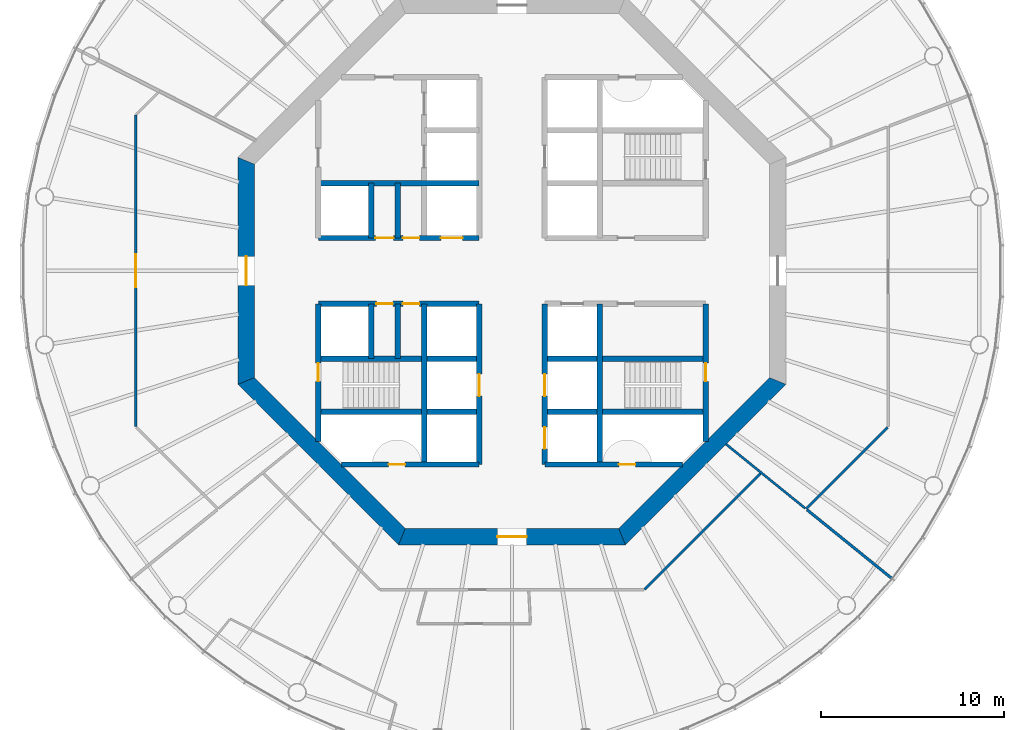
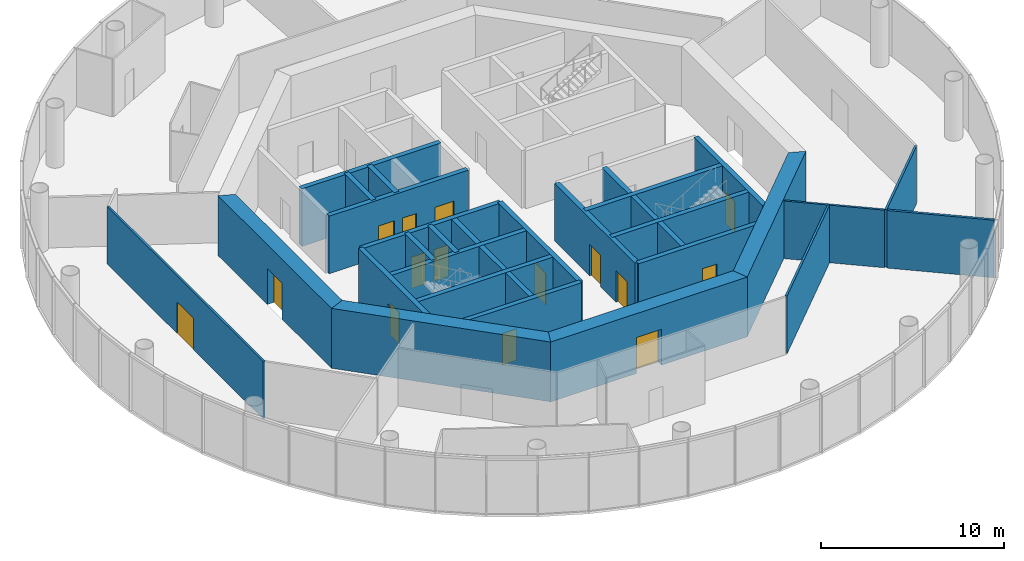
# One storey, part 3 of 12: 28 walls, 15 doors, 15 openings.
"""IFC4 building model written with IfcOpenShell, lengths in metres."""

from ifc_helpers import new_model, si_unit, direction, frame, frame_2d, origin, place, context, subcontext, project, spatial, polyline, rectangle, outline, extrude, material, layer, layer_set, type_object, element, fill, save


model = new_model("IFC4")

# Units and contexts
model_context = context("Model", 3, precision=1e-05, world=origin(), true_north=direction((0.0, 1.0)))
body_context = subcontext(model_context, "Body", "Model", "MODEL_VIEW")
ifc_project = project(units=[si_unit("LENGTHUNIT", "METRE"), si_unit("AREAUNIT", "SQUARE_METRE"), si_unit("VOLUMEUNIT", "CUBIC_METRE"), si_unit("PLANEANGLEUNIT", "RADIAN"), si_unit("MASSUNIT", "GRAM", prefix="KILO")], contexts=[model_context])

# Site, building, storey
site_placement = place(None, origin())
site = spatial("IfcSite", under=ifc_project, at=site_placement, CompositionType="ELEMENT")
building_placement = place(site_placement, origin())
building = spatial("IfcBuilding", under=site, at=building_placement, Name="Entoto Ring Tower", CompositionType="ELEMENT")
storey_placement = place(building_placement, frame((0.0, 0.0, 242.0)))
storey = spatial("IfcBuildingStorey", under=building, at=storey_placement, Name="L55", CompositionType="ELEMENT", Elevation=242.0)

# Wall, opening, door
ifc_material_1 = material(Name="Concrete C40/50", Category="concrete")
ifc_layer_1 = layer(ifc_material_1, 0.300048828125)
ifc_layer_set_1 = layer_set([ifc_layer_1], Name="Concrete C40/50")
wall_type_1 = type_object("IfcWallType", Name="Core enclosure wall 300 mm reinforced concrete", PredefinedType="SOLIDWALL", material=ifc_layer_set_1)
wall_1_placement = place(storey_placement, frame((100.60009765625, 70.65966796875, 0.0), z_axis=(0.0, 0.0, 1.0), x_axis=(0.0, 1.0, 0.0)))
wall_1 = element("IfcWall", 1, at=wall_1_placement, inside=storey, type_object=wall_type_1, Name="wall-L55-001", PredefinedType="SOLIDWALL", context=body_context, shape_type="SweptSolid", body=[
    extrude(rectangle(XDim=7.540283203125, YDim=0.300048828125, at=frame_2d((3.77001953125, 0.0))), origin(), (0.0, 0.0, 1.0), 3.85009765625),
])
opening_1_placement = place(wall_1_placement, frame((3.290283203125, 0.0, 0.0)))
opening_1 = element("IfcOpeningElement", 2, at=opening_1_placement, cuts=wall_1, Name="Opening K-61", PredefinedType="OPENING", context=body_context, shape_type="SweptSolid", body=[
    extrude(rectangle(XDim=1.0, YDim=2.10009765625, at=frame_2d((0.5, 1.050048828125))), frame((0.0, 0.16015625, 0.0), z_axis=(0.0, -1.0, 0.0), x_axis=(1.0, 0.0, 0.0)), (0.0, 0.0, 1.0), 0.320068359375),
])
ifc_material_2 = material(Name="Steel door leaf, fire rated", Category="steel")
ifc_layer_2 = layer(ifc_material_2, 0.050048828125)
ifc_layer_set_2 = layer_set([ifc_layer_2], Name="Steel door leaf, fire rated")
door_type_1 = type_object("IfcDoorType", Name="Fire door FD60 1000 x 2100 single leaf", OperationType="NOTDEFINED", PredefinedType="DOOR", material=ifc_layer_set_2)
door_1_placement = place(opening_1_placement, origin())
door_1 = element("IfcDoor", 3, at=door_1_placement, inside=storey, type_object=door_type_1, Name="Door K-61", OperationType="SINGLE_SWING_RIGHT", OverallHeight=2.10009765625, OverallWidth=1.0, PredefinedType="DOOR", context=body_context, shape_type="SweptSolid", body=[
    extrude(rectangle(XDim=1.0, YDim=2.10009765625, at=frame_2d((0.5, 1.050048828125))), frame((0.0, 0.02490234375, 0.0), z_axis=(0.0, -1.0, 0.0), x_axis=(1.0, 0.0, 0.0)), (0.0, 0.0, 1.0), 0.050048828125),
])
fill(opening_1, door_1)

# Wall
wall_2_placement = place(storey_placement, frame((94.800048828125, 69.39990234375, 0.0), z_axis=(0.0, 0.0, 1.0), x_axis=(0.0, 1.0, 0.0)))
element("IfcWall", 4, at=wall_2_placement, inside=storey, type_object=wall_type_1, Name="wall-L55-003", PredefinedType="SOLIDWALL", context=body_context, shape_type="SweptSolid", body=[
    extrude(rectangle(XDim=8.800048828125, YDim=0.300048828125, at=frame_2d((4.39990234375, 0.0))), origin(), (0.0, 0.0, 1.0), 3.85009765625),
])

# Wall, openings, doors
wall_3_placement = place(storey_placement, frame((91.800048828125, 69.39990234375, 0.0), z_axis=(0.0, 0.0, 1.0), x_axis=(0.0, 1.0, 0.0)))
wall_3 = element("IfcWall", 5, at=wall_3_placement, inside=storey, type_object=wall_type_1, Name="wall-L55-005", PredefinedType="SOLIDWALL", context=body_context, shape_type="SweptSolid", body=[
    extrude(rectangle(XDim=8.800048828125, YDim=0.300048828125, at=frame_2d((4.39990234375, 0.0))), origin(), (0.0, 0.0, 1.0), 3.85009765625),
])
opening_2_placement = place(wall_3_placement, frame((3.75, 0.0, 0.0)))
opening_2 = element("IfcOpeningElement", 6, at=opening_2_placement, cuts=wall_3, Name="Opening LD", PredefinedType="OPENING", context=body_context, shape_type="SweptSolid", body=[
    extrude(rectangle(XDim=1.199951171875, YDim=2.10009765625, at=frame_2d((0.60009765625, 1.050048828125))), frame((0.0, 0.16015625, 0.0), z_axis=(0.0, -1.0, 0.0), x_axis=(1.0, 0.0, 0.0)), (0.0, 0.0, 1.0), 0.320068359375),
])
opening_3_placement = place(wall_3_placement, frame((0.85009765625, 0.0, 0.0)))
opening_3 = element("IfcOpeningElement", 7, at=opening_3_placement, cuts=wall_3, Name="Opening LD", PredefinedType="OPENING", context=body_context, shape_type="SweptSolid", body=[
    extrude(rectangle(XDim=1.199951171875, YDim=2.10009765625, at=frame_2d((0.60009765625, 1.050048828125))), frame((0.0, 0.16015625, 0.0), z_axis=(0.0, -1.0, 0.0), x_axis=(1.0, 0.0, 0.0)), (0.0, 0.0, 1.0), 0.320068359375),
])
ifc_material_3 = material(Name="Steel and glass door leaf", Category="steel")
ifc_layer_3 = layer(ifc_material_3, 0.050048828125)
ifc_layer_set_3 = layer_set([ifc_layer_3], Name="Steel and glass door leaf")
door_type_2 = type_object("IfcDoorType", Name="Landing door 1200 x 2100 sliding", OperationType="DOUBLE_DOOR_SLIDING", PredefinedType="DOOR", material=ifc_layer_set_3)
door_2_placement = place(opening_2_placement, origin())
door_2 = element("IfcDoor", 8, at=door_2_placement, inside=storey, type_object=door_type_2, Name="Landing door LB2-MR", OperationType="SLIDING_TO_RIGHT", OverallHeight=2.10009765625, OverallWidth=1.199951171875, PredefinedType="DOOR", context=body_context, shape_type="SweptSolid", body=[
    extrude(rectangle(XDim=1.199951171875, YDim=2.10009765625, at=frame_2d((0.60009765625, 1.050048828125))), frame((0.0, 0.02490234375, 0.0), z_axis=(0.0, -1.0, 0.0), x_axis=(1.0, 0.0, 0.0)), (0.0, 0.0, 1.0), 0.050048828125),
])
fill(opening_2, door_2)
door_3_placement = place(opening_3_placement, origin())
door_3 = element("IfcDoor", 9, at=door_3_placement, inside=storey, type_object=door_type_2, Name="Landing door LB3-MR", OperationType="SLIDING_TO_RIGHT", OverallHeight=2.10009765625, OverallWidth=1.199951171875, PredefinedType="DOOR", context=body_context, shape_type="SweptSolid", body=[
    extrude(rectangle(XDim=1.199951171875, YDim=2.10009765625, at=frame_2d((0.60009765625, 1.050048828125))), frame((0.0, 0.02490234375, 0.0), z_axis=(0.0, -1.0, 0.0), x_axis=(1.0, 0.0, 0.0)), (0.0, 0.0, 1.0), 0.050048828125),
])
fill(opening_3, door_3)

# Wall, opening, door
wall_4_placement = place(storey_placement, frame((88.199951171875, 69.39990234375, 0.0), z_axis=(0.0, 0.0, 1.0), x_axis=(0.0, 1.0, 0.0)))
wall_4 = element("IfcWall", 10, at=wall_4_placement, inside=storey, type_object=wall_type_1, Name="wall-L55-007", PredefinedType="SOLIDWALL", context=body_context, shape_type="SweptSolid", body=[
    extrude(rectangle(XDim=8.800048828125, YDim=0.300048828125, at=frame_2d((4.39990234375, 0.0))), origin(), (0.0, 0.0, 1.0), 3.85009765625),
])
opening_4_placement = place(wall_4_placement, frame((3.75, 0.0, 0.0)))
opening_4 = element("IfcOpeningElement", 11, at=opening_4_placement, cuts=wall_4, Name="Opening LD", PredefinedType="OPENING", context=body_context, shape_type="SweptSolid", body=[
    extrude(rectangle(XDim=1.199951171875, YDim=2.10009765625, at=frame_2d((0.60009765625, 1.050048828125))), frame((0.0, 0.16015625, 0.0), z_axis=(0.0, -1.0, 0.0), x_axis=(1.0, 0.0, 0.0)), (0.0, 0.0, 1.0), 0.320068359375),
])
door_4_placement = place(opening_4_placement, origin())
door_4 = element("IfcDoor", 12, at=door_4_placement, inside=storey, type_object=door_type_2, Name="Landing door LB4-MR", OperationType="SLIDING_TO_RIGHT", OverallHeight=2.10009765625, OverallWidth=1.199951171875, PredefinedType="DOOR", context=body_context, shape_type="SweptSolid", body=[
    extrude(rectangle(XDim=1.199951171875, YDim=2.10009765625, at=frame_2d((0.60009765625, 1.050048828125))), frame((0.0, 0.02490234375, 0.0), z_axis=(0.0, -1.0, 0.0), x_axis=(1.0, 0.0, 0.0)), (0.0, 0.0, 1.0), 0.050048828125),
])
fill(opening_4, door_4)

# Walls
wall_5_placement = place(storey_placement, frame((85.199951171875, 69.39990234375, 0.0), z_axis=(0.0, 0.0, 1.0), x_axis=(0.0, 1.0, 0.0)))
element("IfcWall", 13, at=wall_5_placement, inside=storey, type_object=wall_type_1, Name="wall-L55-009", PredefinedType="SOLIDWALL", context=body_context, shape_type="SweptSolid", body=[
    extrude(rectangle(XDim=8.800048828125, YDim=0.300048828125, at=frame_2d((4.39990234375, 0.0))), origin(), (0.0, 0.0, 1.0), 3.85009765625),
])
for number, where, z_axis, x_axis, name in (
    (14, (83.75, 75.199951171875, 0.0), (0.0, 0.0, 1.0), (0.0, 1.0, 0.0), "wall-L55-011"),
    (15, (83.75, 81.800048828125, 0.0), (0.0, 0.0, 1.0), (0.0, 1.0, 0.0), "wall-L55-012"),
    (16, (82.300048828125, 75.199951171875, 0.0), (0.0, 0.0, 1.0), (0.0, 1.0, 0.0), "wall-L55-013"),
    (17, (82.300048828125, 81.800048828125, 0.0), (0.0, 0.0, 1.0), (0.0, 1.0, 0.0), "wall-L55-014"),
):
    element("IfcWall", number, at=place(storey_placement, frame(where, z_axis=z_axis, x_axis=x_axis)), inside=storey, type_object=wall_type_1, Name=name, PredefinedType="SOLIDWALL", context=body_context, shape_type="SweptSolid", body=[
        extrude(rectangle(XDim=3.0, YDim=0.300048828125, at=frame_2d((1.5, 0.0))), origin(), (0.0, 0.0, 1.0), 3.85009765625),
    ])

# Wall, opening, door
wall_6_placement = place(storey_placement, frame((79.39990234375, 70.65966796875, 0.0), z_axis=(0.0, 0.0, 1.0), x_axis=(0.0, 1.0, 0.0)))
wall_6 = element("IfcWall", 18, at=wall_6_placement, inside=storey, type_object=wall_type_1, Name="wall-L55-015", PredefinedType="SOLIDWALL", context=body_context, shape_type="SweptSolid", body=[
    extrude(rectangle(XDim=7.540283203125, YDim=0.300048828125, at=frame_2d((3.77001953125, 0.0))), origin(), (0.0, 0.0, 1.0), 3.85009765625),
])
opening_5_placement = place(wall_6_placement, frame((3.290283203125, 0.0, 0.0)))
opening_5 = element("IfcOpeningElement", 19, at=opening_5_placement, cuts=wall_6, Name="Opening K-59", PredefinedType="OPENING", context=body_context, shape_type="SweptSolid", body=[
    extrude(rectangle(XDim=1.0, YDim=2.10009765625, at=frame_2d((0.5, 1.050048828125))), frame((0.0, 0.16015625, 0.0), z_axis=(0.0, -1.0, 0.0), x_axis=(1.0, 0.0, 0.0)), (0.0, 0.0, 1.0), 0.320068359375),
])
door_5_placement = place(opening_5_placement, frame((1.0, 0.0, 0.0), z_axis=(0.0, 0.0, 1.0), x_axis=(-1.0, 0.0, 0.0)))
door_5 = element("IfcDoor", 20, at=door_5_placement, inside=storey, type_object=door_type_1, Name="Door K-59", OperationType="SINGLE_SWING_LEFT", OverallHeight=2.10009765625, OverallWidth=1.0, PredefinedType="DOOR", context=body_context, shape_type="SweptSolid", body=[
    extrude(rectangle(XDim=1.0, YDim=2.10009765625, at=frame_2d((0.5, 1.050048828125))), frame((0.0, 0.02490234375, 0.0), z_axis=(0.0, -1.0, 0.0), x_axis=(1.0, 0.0, 0.0)), (0.0, 0.0, 1.0), 0.050048828125),
])
fill(opening_5, door_5)

wall_7_placement = place(storey_placement, frame((80.65966796875, 69.39990234375, 0.0), z_axis=(0.0, 0.0, 1.0), x_axis=(1.0, 0.0, 0.0)))
wall_7 = element("IfcWall", 21, at=wall_7_placement, inside=storey, type_object=wall_type_1, Name="wall-L55-017", PredefinedType="SOLIDWALL", context=body_context, shape_type="SweptSolid", body=[
    extrude(rectangle(XDim=7.540283203125, YDim=0.300048828125, at=frame_2d((3.77001953125, 0.0))), origin(), (0.0, 0.0, 1.0), 3.85009765625),
])
opening_6_placement = place(wall_7_placement, frame((2.59033203125, 0.0, 0.0)))
opening_6 = element("IfcOpeningElement", 22, at=opening_6_placement, cuts=wall_7, Name="Opening K-66", PredefinedType="OPENING", context=body_context, shape_type="SweptSolid", body=[
    extrude(rectangle(XDim=0.89990234375, YDim=2.10009765625, at=frame_2d((0.449951171875, 1.050048828125))), frame((0.0, 0.16015625, 0.0), z_axis=(0.0, -1.0, 0.0), x_axis=(1.0, 0.0, 0.0)), (0.0, 0.0, 1.0), 0.320068359375),
])
ifc_material_4 = material(Name="Steel door leaf, fire rated", Category="steel")
ifc_layer_4 = layer(ifc_material_4, 0.050048828125)
ifc_layer_set_4 = layer_set([ifc_layer_4], Name="Steel door leaf, fire rated")
door_type_3 = type_object("IfcDoorType", Name="Riser door FD60 900 x 2100 single leaf", OperationType="NOTDEFINED", PredefinedType="DOOR", material=ifc_layer_set_4)
door_6_placement = place(opening_6_placement, origin())
door_6 = element("IfcDoor", 23, at=door_6_placement, inside=storey, type_object=door_type_3, Name="Door K-66", OperationType="SINGLE_SWING_RIGHT", OverallHeight=2.10009765625, OverallWidth=0.89990234375, PredefinedType="DOOR", context=body_context, shape_type="SweptSolid", body=[
    extrude(rectangle(XDim=0.89990234375, YDim=2.10009765625, at=frame_2d((0.449951171875, 1.050048828125))), frame((0.0, 0.02490234375, 0.0), z_axis=(0.0, -1.0, 0.0), x_axis=(1.0, 0.0, 0.0)), (0.0, 0.0, 1.0), 0.050048828125),
])
fill(opening_6, door_6)

wall_8_placement = place(storey_placement, frame((91.800048828125, 69.39990234375, 0.0), z_axis=(0.0, 0.0, 1.0), x_axis=(1.0, 0.0, 0.0)))
wall_8 = element("IfcWall", 24, at=wall_8_placement, inside=storey, type_object=wall_type_1, Name="wall-L55-018", PredefinedType="SOLIDWALL", context=body_context, shape_type="SweptSolid", body=[
    extrude(rectangle(XDim=7.540283203125, YDim=0.300048828125, at=frame_2d((3.77001953125, 0.0))), origin(), (0.0, 0.0, 1.0), 3.85009765625),
])
opening_7_placement = place(wall_8_placement, frame((4.050048828125, 0.0, 0.0)))
opening_7 = element("IfcOpeningElement", 25, at=opening_7_placement, cuts=wall_8, Name="Opening K-68", PredefinedType="OPENING", context=body_context, shape_type="SweptSolid", body=[
    extrude(rectangle(XDim=0.89990234375, YDim=2.10009765625, at=frame_2d((0.449951171875, 1.050048828125))), frame((0.0, 0.16015625, 0.0), z_axis=(0.0, -1.0, 0.0), x_axis=(1.0, 0.0, 0.0)), (0.0, 0.0, 1.0), 0.320068359375),
])
door_7_placement = place(opening_7_placement, origin())
door_7 = element("IfcDoor", 26, at=door_7_placement, inside=storey, type_object=door_type_3, Name="Door K-68", OperationType="SINGLE_SWING_LEFT", OverallHeight=2.10009765625, OverallWidth=0.89990234375, PredefinedType="DOOR", context=body_context, shape_type="SweptSolid", body=[
    extrude(rectangle(XDim=0.89990234375, YDim=2.10009765625, at=frame_2d((0.449951171875, 1.050048828125))), frame((0.0, 0.02490234375, 0.0), z_axis=(0.0, -1.0, 0.0), x_axis=(1.0, 0.0, 0.0)), (0.0, 0.0, 1.0), 0.050048828125),
])
fill(opening_7, door_7)

# Walls
for number, where, z_axis, x_axis, name in (
    (27, (79.39990234375, 72.300048828125, 0.0), (0.0, 0.0, 1.0), (1.0, 0.0, 0.0), "wall-L55-019"),
    (28, (91.800048828125, 72.300048828125, 0.0), (0.0, 0.0, 1.0), (1.0, 0.0, 0.0), "wall-L55-020"),
    (29, (79.39990234375, 75.199951171875, 0.0), (0.0, 0.0, 1.0), (1.0, 0.0, 0.0), "wall-L55-021"),
    (30, (91.800048828125, 75.199951171875, 0.0), (0.0, 0.0, 1.0), (1.0, 0.0, 0.0), "wall-L55-022"),
):
    element("IfcWall", number, at=place(storey_placement, frame(where, z_axis=z_axis, x_axis=x_axis)), inside=storey, type_object=wall_type_1, Name=name, PredefinedType="SOLIDWALL", context=body_context, shape_type="SweptSolid", body=[
        extrude(rectangle(XDim=8.800048828125, YDim=0.300048828125, at=frame_2d((4.39990234375, 0.0))), origin(), (0.0, 0.0, 1.0), 3.85009765625),
    ])

# Wall, openings, doors
wall_9_placement = place(storey_placement, frame((79.39990234375, 78.199951171875, 0.0), z_axis=(0.0, 0.0, 1.0), x_axis=(1.0, 0.0, 0.0)))
wall_9 = element("IfcWall", 31, at=wall_9_placement, inside=storey, type_object=wall_type_1, Name="wall-L55-023", PredefinedType="SOLIDWALL", context=body_context, shape_type="SweptSolid", body=[
    extrude(rectangle(XDim=8.800048828125, YDim=0.300048828125, at=frame_2d((4.39990234375, 0.0))), origin(), (0.0, 0.0, 1.0), 3.85009765625),
])
opening_8_placement = place(wall_9_placement, frame((3.175048828125, 0.0, 0.0)))
opening_8 = element("IfcOpeningElement", 32, at=opening_8_placement, cuts=wall_9, Name="Opening K-15", PredefinedType="OPENING", context=body_context, shape_type="SweptSolid", body=[
    extrude(rectangle(XDim=0.89990234375, YDim=2.10009765625, at=frame_2d((0.449951171875, 1.050048828125))), frame((0.0, 0.16015625, 0.0), z_axis=(0.0, -1.0, 0.0), x_axis=(1.0, 0.0, 0.0)), (0.0, 0.0, 1.0), 0.320068359375),
])
opening_9_placement = place(wall_9_placement, frame((4.625, 0.0, 0.0)))
opening_9 = element("IfcOpeningElement", 33, at=opening_9_placement, cuts=wall_9, Name="Opening K-16", PredefinedType="OPENING", context=body_context, shape_type="SweptSolid", body=[
    extrude(rectangle(XDim=0.89990234375, YDim=2.10009765625, at=frame_2d((0.449951171875, 1.050048828125))), frame((0.0, 0.16015625, 0.0), z_axis=(0.0, -1.0, 0.0), x_axis=(1.0, 0.0, 0.0)), (0.0, 0.0, 1.0), 0.320068359375),
])
ifc_material_5 = material(Name="Steel door leaf, fire rated", Category="steel")
ifc_layer_5 = layer(ifc_material_5, 0.050048828125)
ifc_layer_set_5 = layer_set([ifc_layer_5], Name="Steel door leaf, fire rated")
door_type_4 = type_object("IfcDoorType", Name="Core door 900 x 2100 single leaf", OperationType="NOTDEFINED", PredefinedType="DOOR", material=ifc_layer_set_5)
door_8_placement = place(opening_8_placement, frame((0.89990234375, 0.0, 0.0), z_axis=(0.0, 0.0, 1.0), x_axis=(-1.0, 0.0, 0.0)))
door_8 = element("IfcDoor", 34, at=door_8_placement, inside=storey, type_object=door_type_4, Name="Door K-15", OperationType="SINGLE_SWING_LEFT", OverallHeight=2.10009765625, OverallWidth=0.89990234375, PredefinedType="DOOR", context=body_context, shape_type="SweptSolid", body=[
    extrude(rectangle(XDim=0.89990234375, YDim=2.10009765625, at=frame_2d((0.449951171875, 1.050048828125))), frame((0.0, 0.02490234375, 0.0), z_axis=(0.0, -1.0, 0.0), x_axis=(1.0, 0.0, 0.0)), (0.0, 0.0, 1.0), 0.050048828125),
])
fill(opening_8, door_8)
door_9_placement = place(opening_9_placement, frame((0.89990234375, 0.0, 0.0), z_axis=(0.0, 0.0, 1.0), x_axis=(-1.0, 0.0, 0.0)))
door_9 = element("IfcDoor", 35, at=door_9_placement, inside=storey, type_object=door_type_4, Name="Door K-16", OperationType="SINGLE_SWING_LEFT", OverallHeight=2.10009765625, OverallWidth=0.89990234375, PredefinedType="DOOR", context=body_context, shape_type="SweptSolid", body=[
    extrude(rectangle(XDim=0.89990234375, YDim=2.10009765625, at=frame_2d((0.449951171875, 1.050048828125))), frame((0.0, 0.02490234375, 0.0), z_axis=(0.0, -1.0, 0.0), x_axis=(1.0, 0.0, 0.0)), (0.0, 0.0, 1.0), 0.050048828125),
])
fill(opening_9, door_9)

wall_10_placement = place(storey_placement, frame((79.39990234375, 81.800048828125, 0.0), z_axis=(0.0, 0.0, 1.0), x_axis=(1.0, 0.0, 0.0)))
wall_10 = element("IfcWall", 36, at=wall_10_placement, inside=storey, type_object=wall_type_1, Name="wall-L55-025", PredefinedType="SOLIDWALL", context=body_context, shape_type="SweptSolid", body=[
    extrude(rectangle(XDim=8.800048828125, YDim=0.300048828125, at=frame_2d((4.39990234375, 0.0))), origin(), (0.0, 0.0, 1.0), 3.85009765625),
])
opening_10_placement = place(wall_10_placement, frame((6.699951171875, 0.0, 0.0)))
opening_10 = element("IfcOpeningElement", 37, at=opening_10_placement, cuts=wall_10, Name="Opening LD", PredefinedType="OPENING", context=body_context, shape_type="SweptSolid", body=[
    extrude(rectangle(XDim=1.199951171875, YDim=2.10009765625, at=frame_2d((0.60009765625, 1.050048828125))), frame((0.0, 0.16015625, 0.0), z_axis=(0.0, -1.0, 0.0), x_axis=(1.0, 0.0, 0.0)), (0.0, 0.0, 1.0), 0.320068359375),
])
opening_11_placement = place(wall_10_placement, frame((3.125, 0.0, 0.0)))
opening_11 = element("IfcOpeningElement", 38, at=opening_11_placement, cuts=wall_10, Name="Opening K-13", PredefinedType="OPENING", context=body_context, shape_type="SweptSolid", body=[
    extrude(rectangle(XDim=1.0, YDim=2.10009765625, at=frame_2d((0.5, 1.050048828125))), frame((0.0, 0.16015625, 0.0), z_axis=(0.0, -1.0, 0.0), x_axis=(1.0, 0.0, 0.0)), (0.0, 0.0, 1.0), 0.320068359375),
])
opening_12_placement = place(wall_10_placement, frame((4.625, 0.0, 0.0)))
opening_12 = element("IfcOpeningElement", 39, at=opening_12_placement, cuts=wall_10, Name="Opening K-14", PredefinedType="OPENING", context=body_context, shape_type="SweptSolid", body=[
    extrude(rectangle(XDim=0.89990234375, YDim=2.10009765625, at=frame_2d((0.449951171875, 1.050048828125))), frame((0.0, 0.16015625, 0.0), z_axis=(0.0, -1.0, 0.0), x_axis=(1.0, 0.0, 0.0)), (0.0, 0.0, 1.0), 0.320068359375),
])
ifc_material_6 = material(Name="Steel door leaf, fire rated", Category="steel")
ifc_layer_6 = layer(ifc_material_6, 0.050048828125)
ifc_layer_set_6 = layer_set([ifc_layer_6], Name="Steel door leaf, fire rated")
door_type_5 = type_object("IfcDoorType", Name="Accessible door 1000 x 2100 single leaf", OperationType="NOTDEFINED", PredefinedType="DOOR", material=ifc_layer_set_6)
door_10_placement = place(opening_11_placement, origin())
door_10 = element("IfcDoor", 40, at=door_10_placement, inside=storey, type_object=door_type_5, Name="Door K-13", OperationType="SINGLE_SWING_RIGHT", OverallHeight=2.10009765625, OverallWidth=1.0, PredefinedType="DOOR", context=body_context, shape_type="SweptSolid", body=[
    extrude(rectangle(XDim=1.0, YDim=2.10009765625, at=frame_2d((0.5, 1.050048828125))), frame((0.0, 0.02490234375, 0.0), z_axis=(0.0, -1.0, 0.0), x_axis=(1.0, 0.0, 0.0)), (0.0, 0.0, 1.0), 0.050048828125),
])
fill(opening_11, door_10)
door_11_placement = place(opening_12_placement, origin())
door_11 = element("IfcDoor", 41, at=door_11_placement, inside=storey, type_object=door_type_4, Name="Door K-14", OperationType="SINGLE_SWING_RIGHT", OverallHeight=2.10009765625, OverallWidth=0.89990234375, PredefinedType="DOOR", context=body_context, shape_type="SweptSolid", body=[
    extrude(rectangle(XDim=0.89990234375, YDim=2.10009765625, at=frame_2d((0.449951171875, 1.050048828125))), frame((0.0, 0.02490234375, 0.0), z_axis=(0.0, -1.0, 0.0), x_axis=(1.0, 0.0, 0.0)), (0.0, 0.0, 1.0), 0.050048828125),
])
fill(opening_12, door_11)
door_12_placement = place(opening_10_placement, origin())
door_12 = element("IfcDoor", 42, at=door_12_placement, inside=storey, type_object=door_type_2, Name="Landing door LB5-MR", OperationType="SLIDING_TO_LEFT", OverallHeight=2.10009765625, OverallWidth=1.199951171875, PredefinedType="DOOR", context=body_context, shape_type="SweptSolid", body=[
    extrude(rectangle(XDim=1.199951171875, YDim=2.10009765625, at=frame_2d((0.60009765625, 1.050048828125))), frame((0.0, 0.02490234375, 0.0), z_axis=(0.0, -1.0, 0.0), x_axis=(1.0, 0.0, 0.0)), (0.0, 0.0, 1.0), 0.050048828125),
])
fill(opening_10, door_12)

# Wall
wall_11_placement = place(storey_placement, frame((79.39990234375, 84.800048828125, 0.0), z_axis=(0.0, 0.0, 1.0), x_axis=(1.0, 0.0, 0.0)))
element("IfcWall", 43, at=wall_11_placement, inside=storey, type_object=wall_type_1, Name="wall-L55-027", PredefinedType="SOLIDWALL", context=body_context, shape_type="SweptSolid", body=[
    extrude(rectangle(XDim=8.800048828125, YDim=0.300048828125, at=frame_2d((4.39990234375, 0.0))), origin(), (0.0, 0.0, 1.0), 3.85009765625),
])

# Wall, opening, door
ifc_material_7 = material(Name="Concrete C50/60", Category="concrete")
ifc_layer_7 = layer(ifc_material_7, 0.89990234375)
ifc_layer_set_7 = layer_set([ifc_layer_7], Name="Concrete C50/60")
wall_type_2 = type_object("IfcWallType", Name="Core shear wall 900 mm reinforced concrete C50/60", PredefinedType="SHEAR", material=ifc_layer_set_7)
wall_12_placement = place(storey_placement, frame((75.449951171875, 86.02685546875, 0.0), z_axis=(0.0, 0.0, 1.0), x_axis=(0.0, -1.0, 0.0)))
wall_12 = element("IfcWall", 44, at=wall_12_placement, inside=storey, type_object=wall_type_2, Name="wall-L55-core-4", PredefinedType="SHEAR", context=body_context, shape_type="SweptSolid", body=[
    extrude(outline(polyline([(-0.186279296875, -0.449951171875), (12.239990234375, -0.449951171875), (11.867431640625, 0.449951171875), (0.186279296875, 0.449951171875), (-0.186279296875, -0.449951171875)])), origin(), (0.0, 0.0, 1.0), 4.0),
])
opening_13_placement = place(wall_12_placement, frame((5.226806640625, 0.0, 0.0)))
opening_13 = element("IfcOpeningElement", 45, at=opening_13_placement, cuts=wall_12, Name="Opening K-03", PredefinedType="OPENING", context=body_context, shape_type="SweptSolid", body=[
    extrude(rectangle(XDim=1.60009765625, YDim=2.39990234375, at=frame_2d((0.800048828125, 1.199951171875))), frame((0.0, 0.4599609375, 0.0), z_axis=(0.0, -1.0, 0.0), x_axis=(1.0, 0.0, 0.0)), (0.0, 0.0, 1.0), 0.919921875),
])
ifc_material_8 = material(Name="Steel door leaf, fire rated", Category="steel")
ifc_layer_8 = layer(ifc_material_8, 0.050048828125)
ifc_layer_set_8 = layer_set([ifc_layer_8], Name="Steel door leaf, fire rated")
door_type_6 = type_object("IfcDoorType", Name="Entrance door FD60 1600 x 2400 double leaf", OperationType="DOUBLE_DOOR_SINGLE_SWING", PredefinedType="DOOR", material=ifc_layer_set_8)
door_13_placement = place(opening_13_placement, origin())
door_13 = element("IfcDoor", 46, at=door_13_placement, inside=storey, type_object=door_type_6, Name="Entrance door K-03", OperationType="DOUBLE_DOOR_SINGLE_SWING", OverallHeight=2.39990234375, OverallWidth=1.60009765625, PredefinedType="DOOR", context=body_context, shape_type="SweptSolid", body=[
    extrude(rectangle(XDim=1.60009765625, YDim=2.39990234375, at=frame_2d((0.800048828125, 1.199951171875))), frame((0.0, 0.02490234375, 0.0), z_axis=(0.0, -1.0, 0.0), x_axis=(1.0, 0.0, 0.0)), (0.0, 0.0, 1.0), 0.050048828125),
])
fill(opening_13, door_13)

# Wall
wall_13_placement = place(storey_placement, frame((75.449951171875, 73.97314453125, 0.0), z_axis=(0.0, 0.0, 1.0), x_axis=(0.707106781187, -0.707106781187, 0.0)))
element("IfcWall", 47, at=wall_13_placement, inside=storey, type_object=wall_type_2, Name="wall-L55-core-5", PredefinedType="SHEAR", context=body_context, shape_type="SweptSolid", body=[
    extrude(outline(polyline([(-0.186279296875, -0.449951171875), (12.239990234375, -0.449951171875), (11.867431640625, 0.449951171875), (0.186279296875, 0.449951171875), (-0.186279296875, -0.449951171875)])), origin(), (0.0, 0.0, 1.0), 4.0),
])

# Wall, opening, door
wall_14_placement = place(storey_placement, frame((83.97314453125, 65.449951171875, 0.0), z_axis=(0.0, 0.0, 1.0), x_axis=(1.0, 0.0, 0.0)))
wall_14 = element("IfcWall", 48, at=wall_14_placement, inside=storey, type_object=wall_type_2, Name="wall-L55-core-6", PredefinedType="SHEAR", context=body_context, shape_type="SweptSolid", body=[
    extrude(outline(polyline([(-0.186279296875, -0.449951171875), (12.239990234375, -0.449951171875), (11.867431640625, 0.449951171875), (0.186279296875, 0.449951171875), (-0.186279296875, -0.449951171875)])), origin(), (0.0, 0.0, 1.0), 4.0),
])
opening_14_placement = place(wall_14_placement, frame((5.226806640625, 0.0, 0.0)))
opening_14 = element("IfcOpeningElement", 49, at=opening_14_placement, cuts=wall_14, Name="Opening K-04", PredefinedType="OPENING", context=body_context, shape_type="SweptSolid", body=[
    extrude(rectangle(XDim=1.60009765625, YDim=2.39990234375, at=frame_2d((0.800048828125, 1.199951171875))), frame((0.0, 0.4599609375, 0.0), z_axis=(0.0, -1.0, 0.0), x_axis=(1.0, 0.0, 0.0)), (0.0, 0.0, 1.0), 0.919921875),
])
door_14_placement = place(opening_14_placement, origin())
door_14 = element("IfcDoor", 50, at=door_14_placement, inside=storey, type_object=door_type_6, Name="Entrance door K-04", OperationType="DOUBLE_DOOR_SINGLE_SWING", OverallHeight=2.39990234375, OverallWidth=1.60009765625, PredefinedType="DOOR", context=body_context, shape_type="SweptSolid", body=[
    extrude(rectangle(XDim=1.60009765625, YDim=2.39990234375, at=frame_2d((0.800048828125, 1.199951171875))), frame((0.0, 0.02490234375, 0.0), z_axis=(0.0, -1.0, 0.0), x_axis=(1.0, 0.0, 0.0)), (0.0, 0.0, 1.0), 0.050048828125),
])
fill(opening_14, door_14)

# Wall
wall_15_placement = place(storey_placement, frame((96.02685546875, 65.449951171875, 0.0), z_axis=(0.0, 0.0, 1.0), x_axis=(0.707106781187, 0.707106781187, 0.0)))
element("IfcWall", 51, at=wall_15_placement, inside=storey, type_object=wall_type_2, Name="wall-L55-core-7", PredefinedType="SHEAR", context=body_context, shape_type="SweptSolid", body=[
    extrude(outline(polyline([(-0.186279296875, -0.449951171875), (12.239990234375, -0.449951171875), (11.867431640625, 0.449951171875), (0.186279296875, 0.449951171875), (-0.186279296875, -0.449951171875)])), origin(), (0.0, 0.0, 1.0), 4.0),
])

# Wall, opening, door
ifc_material_9 = material(Name="Fire-resisting plasterboard on steel studs", Category="steel")
ifc_layer_9 = layer(ifc_material_9, 0.125)
ifc_layer_set_9 = layer_set([ifc_layer_9], Name="Fire-resisting plasterboard on steel studs")
wall_type_3 = type_object("IfcWallType", Name="Corridor wall 125 mm one-hour plasterboard on steel studs", PredefinedType="PARTITIONING", material=ifc_layer_set_9)
wall_16_placement = place(storey_placement, frame((69.39990234375, 71.46728515625, 0.0), z_axis=(0.0, 0.0, 1.0), x_axis=(0.0, 1.0, 0.0)))
wall_16 = element("IfcWall", 52, at=wall_16_placement, inside=storey, type_object=wall_type_3, Name="partition-L55-001", PredefinedType="PARTITIONING", context=body_context, shape_type="SweptSolid", body=[
    extrude(rectangle(XDim=17.0654296875, YDim=0.125, at=frame_2d((8.53271484375, 0.0))), origin(), (0.0, 0.0, 1.0), 3.85009765625),
])
opening_15_placement = place(wall_16_placement, frame((7.6328125, 0.0, 0.0)))
opening_15 = element("IfcOpeningElement", 53, at=opening_15_placement, cuts=wall_16, Name="Opening A24-D02", PredefinedType="OPENING", context=body_context, shape_type="SweptSolid", body=[
    extrude(rectangle(XDim=1.800048828125, YDim=2.10009765625, at=frame_2d((0.89990234375, 1.050048828125))), frame((0.0, 0.072509765625, 0.0), z_axis=(0.0, -1.0, 0.0), x_axis=(1.0, 0.0, 0.0)), (0.0, 0.0, 1.0), 0.14501953125),
])
ifc_material_10 = material(Name="Fire-resisting timber door set", Category="wood")
door_type_7 = type_object("IfcDoorType", Name="Door 1800 x 2100 double leaf FD30S fire door", OperationType="DOUBLE_DOOR_SINGLE_SWING", PredefinedType="DOOR", material=ifc_material_10)
door_15_placement = place(opening_15_placement, origin())
door_15 = element("IfcDoor", 54, at=door_15_placement, inside=storey, type_object=door_type_7, Name="Door A24-D02", OperationType="DOUBLE_DOOR_SINGLE_SWING", OverallHeight=2.10009765625, OverallWidth=1.800048828125, PredefinedType="DOOR", context=body_context, shape_type="SweptSolid", body=[
    extrude(rectangle(XDim=1.800048828125, YDim=2.10009765625, at=frame_2d((0.89990234375, 1.050048828125))), frame((0.0, 0.02490234375, 0.0), z_axis=(0.0, -1.0, 0.0), x_axis=(1.0, 0.0, 0.0)), (0.0, 0.0, 1.0), 0.050048828125),
])
fill(opening_15, door_15)

# Walls
wall_17_placement = place(storey_placement, frame((97.264404296875, 62.568603515625, 0.0), z_axis=(0.0, 0.0, 1.0), x_axis=(0.707106781187, 0.707106781187, 0.0)))
element("IfcWall", 55, at=wall_17_placement, inside=storey, type_object=wall_type_3, Name="partition-L55-008", PredefinedType="PARTITIONING", context=body_context, shape_type="SweptSolid", body=[
    extrude(rectangle(XDim=8.955078125, YDim=0.125, at=frame_2d((4.4775390625, 0.0))), origin(), (0.0, 0.0, 1.0), 3.85009765625),
])
wall_18_placement = place(storey_placement, frame((106.097412109375, 66.964599609375, 0.0), z_axis=(0.0, 0.0, 1.0), x_axis=(0.707106781187, 0.707106781187, 0.0)))
element("IfcWall", 56, at=wall_18_placement, inside=storey, type_object=wall_type_3, Name="partition-L55-010", PredefinedType="PARTITIONING", context=body_context, shape_type="SweptSolid", body=[
    extrude(rectangle(XDim=6.323486328125, YDim=0.125, at=frame_2d((3.16162109375, 0.0))), origin(), (0.0, 0.0, 1.0), 3.85009765625),
])
wall_19_placement = place(storey_placement, frame((106.049072265625, 67.003662109375, 0.0), z_axis=(0.0, 0.0, 1.0), x_axis=(-0.777129489168, 0.629340732089, 0.0)))
element("IfcWall", 57, at=wall_19_placement, inside=storey, type_object=wall_type_3, Name="partition-L55-014", PredefinedType="PARTITIONING", context=body_context, shape_type="SweptSolid", body=[
    extrude(rectangle(XDim=5.56884765625, YDim=0.125, at=frame_2d((2.784423828125, 0.0))), origin(), (0.0, 0.0, 1.0), 3.85009765625),
])
ifc_material_11 = material(Name="Fire-resisting acoustic plasterboard on steel studs", Category="steel")
ifc_layer_10 = layer(ifc_material_11, 0.14990234375)
ifc_layer_set_10 = layer_set([ifc_layer_10], Name="Fire-resisting acoustic plasterboard on steel studs")
wall_type_4 = type_object("IfcWallType", Name="Party wall 150 mm one-hour acoustic plasterboard on steel studs", PredefinedType="PARTITIONING", material=ifc_layer_set_10)
wall_20_placement = place(storey_placement, frame((110.781005859375, 63.172119140625, 0.0), z_axis=(0.0, 0.0, 1.0), x_axis=(-0.777159904302, 0.62930317268, 0.0)))
element("IfcWall", 58, at=wall_20_placement, inside=storey, type_object=wall_type_4, Name="partition-L55-019", PredefinedType="PARTITIONING", context=body_context, shape_type="SweptSolid", body=[
    extrude(rectangle(XDim=5.955810546875, YDim=0.14990234375, at=frame_2d((2.97802734375, 0.0))), origin(), (0.0, 0.0, 1.0), 3.85009765625),
])

save(model, "model.ifc")
